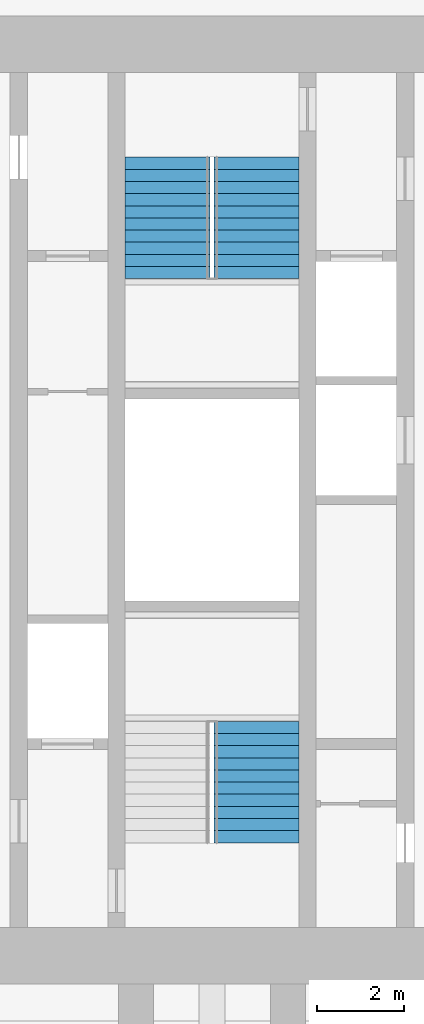
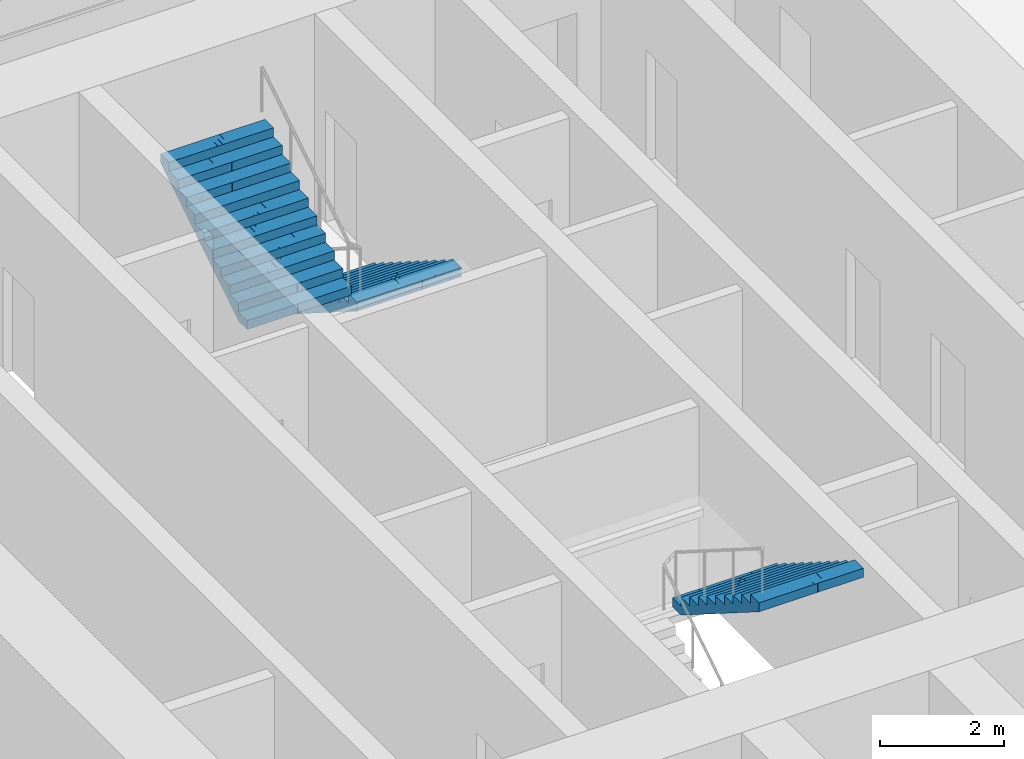
# One storey, part 14 of 15: 3 stair flights, 2 elements without a shape of their own.
"""IFC4 building model written with IfcOpenShell, lengths in metres."""

from ifc_helpers import new_model, si_unit, direction, frame, origin, place, context, subcontext, project, spatial, polyline, outline, extrude, material, type_object, element, aggregate, save


model = new_model("IFC4")

# Units and contexts
model_context = context("Model", 3, precision=1e-05, world=origin(), true_north=direction((0.0, 1.0)))
body_context = subcontext(model_context, "Body", "Model", "MODEL_VIEW")
ifc_project = project(units=[si_unit("LENGTHUNIT", "METRE"), si_unit("AREAUNIT", "SQUARE_METRE"), si_unit("VOLUMEUNIT", "CUBIC_METRE"), si_unit("PLANEANGLEUNIT", "RADIAN"), si_unit("MASSUNIT", "GRAM", prefix="KILO")], contexts=[model_context])

# Site, building, storey
site_placement = place(None, origin())
site = spatial("IfcSite", under=ifc_project, at=site_placement, CompositionType="ELEMENT")
building_placement = place(site_placement, origin())
building = spatial("IfcBuilding", under=site, at=building_placement, Name="Mizan Broadcast Tower", CompositionType="ELEMENT")
storey_placement = place(building_placement, frame((0.0, 0.0, 298.5)))
storey = spatial("IfcBuildingStorey", under=building, at=storey_placement, Name="L71", CompositionType="ELEMENT", Elevation=298.5)

# Stair, stair flight
ifc_material_1 = material(Name="Concrete C40/50", Category="concrete")
stair_type = type_object("IfcStairType", Name="EXIT STAIR", PredefinedType="HALF_TURN_STAIR", material=ifc_material_1)
stair_1_placement = place(storey_placement, origin())
stair_1 = element("IfcStair", 1, at=stair_1_placement, inside=storey, type_object=stair_type, Name="Stair A L71", PredefinedType="HALF_TURN_STAIR")
ifc_material_2 = material(Name="Concrete C40/50", Category="concrete")
stair_flight_type = type_object("IfcStairFlightType", Name="EXIT STAIR FLIGHT", PredefinedType="STRAIGHT", material=ifc_material_2)
stair_flight_1_placement = place(storey_placement, frame((1.02490234375, -5.10009765625, 1.949951171875), z_axis=(0.0, 0.0, 1.0), x_axis=(0.0, -1.0, 0.0)))
stair_flight_1 = element("IfcStairFlight", 2, at=stair_flight_1_placement, type_object=stair_flight_type, Name="A flight 2", NumberOfRisers=11, NumberOfTreads=10, PredefinedType="STRAIGHT", RiserHeight=0.177272727, TreadLength=0.28, context=body_context, shape_type="SweptSolid", body=[
    extrude(outline(polyline([(0.0, 0.0), (0.0, 0.17724609375), (0.280029296875, 0.17724609375), (0.280029296875, 0.3544921875), (0.56005859375, 0.3544921875), (0.56005859375, 0.53173828125), (0.840087890625, 0.53173828125), (0.840087890625, 0.708984375), (1.1201171875, 0.708984375), (1.1201171875, 0.886474609375), (1.39990234375, 0.886474609375), (1.39990234375, 1.063720703125), (1.679931640625, 1.063720703125), (1.679931640625, 1.240966796875), (1.9599609375, 1.240966796875), (1.9599609375, 1.418212890625), (2.239990234375, 1.418212890625), (2.239990234375, 1.595458984375), (2.52001953125, 1.595458984375), (2.52001953125, 1.772705078125), (2.800048828125, 1.772705078125), (2.800048828125, 1.949951171875), (2.800048828125, 1.59521484375), (0.2802734375, 0.0), (0.0, 0.0)])), frame((0.0, 0.97509765625, 0.0), z_axis=(0.0, -1.0, 0.0), x_axis=(1.0, 0.0, 0.0)), (0.0, 0.0, 1.0), 0.4873046875),
    extrude(outline(polyline([(0.0, 0.0), (0.0, 0.17724609375), (0.280029296875, 0.17724609375), (0.280029296875, 0.3544921875), (0.56005859375, 0.3544921875), (0.56005859375, 0.53173828125), (0.840087890625, 0.53173828125), (0.840087890625, 0.708984375), (1.1201171875, 0.708984375), (1.1201171875, 0.886474609375), (1.39990234375, 0.886474609375), (1.39990234375, 1.063720703125), (1.679931640625, 1.063720703125), (1.679931640625, 1.240966796875), (1.9599609375, 1.240966796875), (1.9599609375, 1.418212890625), (2.239990234375, 1.418212890625), (2.239990234375, 1.595458984375), (2.52001953125, 1.595458984375), (2.52001953125, 1.772705078125), (2.800048828125, 1.772705078125), (2.800048828125, 1.949951171875), (2.800048828125, 1.59521484375), (0.2802734375, 0.0), (0.0, 0.0)])), frame((0.0, 0.4873046875, 0.0), z_axis=(0.0, -1.0, 0.0), x_axis=(1.0, 0.0, 0.0)), (0.0, 0.0, 1.0), 0.2431640625),
    extrude(outline(polyline([(0.0, 0.0), (0.0, 0.17724609375), (0.280029296875, 0.17724609375), (0.280029296875, 0.3544921875), (0.56005859375, 0.3544921875), (0.56005859375, 0.53173828125), (0.840087890625, 0.53173828125), (0.840087890625, 0.708984375), (1.1201171875, 0.708984375), (1.1201171875, 0.886474609375), (1.39990234375, 0.886474609375), (1.39990234375, 1.063720703125), (1.679931640625, 1.063720703125), (1.679931640625, 1.240966796875), (1.9599609375, 1.240966796875), (1.9599609375, 1.418212890625), (2.239990234375, 1.418212890625), (2.239990234375, 1.595458984375), (2.52001953125, 1.595458984375), (2.52001953125, 1.772705078125), (2.800048828125, 1.772705078125), (2.800048828125, 1.949951171875), (2.800048828125, 1.59521484375), (0.2802734375, 0.0), (0.0, 0.0)])), frame((0.0, 0.24365234375, 0.0), z_axis=(0.0, -1.0, 0.0), x_axis=(1.0, 0.0, 0.0)), (0.0, 0.0, 1.0), 0.121337890625),
    extrude(outline(polyline([(0.0, 0.0), (0.0, 0.17724609375), (0.280029296875, 0.17724609375), (0.280029296875, 0.3544921875), (0.56005859375, 0.3544921875), (0.56005859375, 0.53173828125), (0.840087890625, 0.53173828125), (0.840087890625, 0.708984375), (1.1201171875, 0.708984375), (1.1201171875, 0.886474609375), (1.39990234375, 0.886474609375), (1.39990234375, 1.063720703125), (1.679931640625, 1.063720703125), (1.679931640625, 1.240966796875), (1.9599609375, 1.240966796875), (1.9599609375, 1.418212890625), (2.239990234375, 1.418212890625), (2.239990234375, 1.595458984375), (2.52001953125, 1.595458984375), (2.52001953125, 1.772705078125), (2.800048828125, 1.772705078125), (2.800048828125, 1.949951171875), (2.800048828125, 1.59521484375), (0.2802734375, 0.0), (0.0, 0.0)])), frame((0.0, 0.121826171875, 0.0), z_axis=(0.0, -1.0, 0.0), x_axis=(1.0, 0.0, 0.0)), (0.0, 0.0, 1.0), 0.060546875),
    extrude(outline(polyline([(0.0, 0.0), (0.0, 0.17724609375), (0.280029296875, 0.17724609375), (0.280029296875, 0.3544921875), (0.56005859375, 0.3544921875), (0.56005859375, 0.53173828125), (0.840087890625, 0.53173828125), (0.840087890625, 0.708984375), (1.1201171875, 0.708984375), (1.1201171875, 0.886474609375), (1.39990234375, 0.886474609375), (1.39990234375, 1.063720703125), (1.679931640625, 1.063720703125), (1.679931640625, 1.240966796875), (1.9599609375, 1.240966796875), (1.9599609375, 1.418212890625), (2.239990234375, 1.418212890625), (2.239990234375, 1.595458984375), (2.52001953125, 1.595458984375), (2.52001953125, 1.772705078125), (2.800048828125, 1.772705078125), (2.800048828125, 1.949951171875), (2.800048828125, 1.59521484375), (0.2802734375, 0.0), (0.0, 0.0)])), frame((0.0, 0.060791015625, 0.0), z_axis=(0.0, -1.0, 0.0), x_axis=(1.0, 0.0, 0.0)), (0.0, 0.0, 1.0), 0.030029296875),
    extrude(outline(polyline([(0.0, 0.0), (0.0, 0.17724609375), (0.280029296875, 0.17724609375), (0.280029296875, 0.3544921875), (0.56005859375, 0.3544921875), (0.56005859375, 0.53173828125), (0.840087890625, 0.53173828125), (0.840087890625, 0.708984375), (1.1201171875, 0.708984375), (1.1201171875, 0.886474609375), (1.39990234375, 0.886474609375), (1.39990234375, 1.063720703125), (1.679931640625, 1.063720703125), (1.679931640625, 1.240966796875), (1.9599609375, 1.240966796875), (1.9599609375, 1.418212890625), (2.239990234375, 1.418212890625), (2.239990234375, 1.595458984375), (2.52001953125, 1.595458984375), (2.52001953125, 1.772705078125), (2.800048828125, 1.772705078125), (2.800048828125, 1.949951171875), (2.800048828125, 1.59521484375), (0.2802734375, 0.0), (0.0, 0.0)])), frame((0.0, 0.0302734375, 0.0), z_axis=(0.0, -1.0, 0.0), x_axis=(1.0, 0.0, 0.0)), (0.0, 0.0, 1.0), 0.060302734375),
    extrude(outline(polyline([(0.0, 0.0), (0.0, 0.17724609375), (0.280029296875, 0.17724609375), (0.280029296875, 0.3544921875), (0.56005859375, 0.3544921875), (0.56005859375, 0.53173828125), (0.840087890625, 0.53173828125), (0.840087890625, 0.708984375), (1.1201171875, 0.708984375), (1.1201171875, 0.886474609375), (1.39990234375, 0.886474609375), (1.39990234375, 1.063720703125), (1.679931640625, 1.063720703125), (1.679931640625, 1.240966796875), (1.9599609375, 1.240966796875), (1.9599609375, 1.418212890625), (2.239990234375, 1.418212890625), (2.239990234375, 1.595458984375), (2.52001953125, 1.595458984375), (2.52001953125, 1.772705078125), (2.800048828125, 1.772705078125), (2.800048828125, 1.949951171875), (2.800048828125, 1.59521484375), (0.2802734375, 0.0), (0.0, 0.0)])), frame((0.0, -0.030517578125, 0.0), z_axis=(0.0, -1.0, 0.0), x_axis=(1.0, 0.0, 0.0)), (0.0, 0.0, 1.0), 0.030029296875),
    extrude(outline(polyline([(0.0, 0.0), (0.0, 0.17724609375), (0.280029296875, 0.17724609375), (0.280029296875, 0.3544921875), (0.56005859375, 0.3544921875), (0.56005859375, 0.53173828125), (0.840087890625, 0.53173828125), (0.840087890625, 0.708984375), (1.1201171875, 0.708984375), (1.1201171875, 0.886474609375), (1.39990234375, 0.886474609375), (1.39990234375, 1.063720703125), (1.679931640625, 1.063720703125), (1.679931640625, 1.240966796875), (1.9599609375, 1.240966796875), (1.9599609375, 1.418212890625), (2.239990234375, 1.418212890625), (2.239990234375, 1.595458984375), (2.52001953125, 1.595458984375), (2.52001953125, 1.772705078125), (2.800048828125, 1.772705078125), (2.800048828125, 1.949951171875), (2.800048828125, 1.59521484375), (0.2802734375, 0.0), (0.0, 0.0)])), frame((0.0, -0.06103515625, 0.0), z_axis=(0.0, -1.0, 0.0), x_axis=(1.0, 0.0, 0.0)), (0.0, 0.0, 1.0), 0.060546875),
    extrude(outline(polyline([(0.0, 0.0), (0.0, 0.17724609375), (0.280029296875, 0.17724609375), (0.280029296875, 0.3544921875), (0.56005859375, 0.3544921875), (0.56005859375, 0.53173828125), (0.840087890625, 0.53173828125), (0.840087890625, 0.708984375), (1.1201171875, 0.708984375), (1.1201171875, 0.886474609375), (1.39990234375, 0.886474609375), (1.39990234375, 1.063720703125), (1.679931640625, 1.063720703125), (1.679931640625, 1.240966796875), (1.9599609375, 1.240966796875), (1.9599609375, 1.418212890625), (2.239990234375, 1.418212890625), (2.239990234375, 1.595458984375), (2.52001953125, 1.595458984375), (2.52001953125, 1.772705078125), (2.800048828125, 1.772705078125), (2.800048828125, 1.949951171875), (2.800048828125, 1.59521484375), (0.2802734375, 0.0), (0.0, 0.0)])), frame((0.0, -0.1220703125, 0.0), z_axis=(0.0, -1.0, 0.0), x_axis=(1.0, 0.0, 0.0)), (0.0, 0.0, 1.0), 0.121337890625),
    extrude(outline(polyline([(0.0, 0.0), (0.0, 0.17724609375), (0.280029296875, 0.17724609375), (0.280029296875, 0.3544921875), (0.56005859375, 0.3544921875), (0.56005859375, 0.53173828125), (0.840087890625, 0.53173828125), (0.840087890625, 0.708984375), (1.1201171875, 0.708984375), (1.1201171875, 0.886474609375), (1.39990234375, 0.886474609375), (1.39990234375, 1.063720703125), (1.679931640625, 1.063720703125), (1.679931640625, 1.240966796875), (1.9599609375, 1.240966796875), (1.9599609375, 1.418212890625), (2.239990234375, 1.418212890625), (2.239990234375, 1.595458984375), (2.52001953125, 1.595458984375), (2.52001953125, 1.772705078125), (2.800048828125, 1.772705078125), (2.800048828125, 1.949951171875), (2.800048828125, 1.59521484375), (0.2802734375, 0.0), (0.0, 0.0)])), frame((0.0, -0.243896484375, 0.0), z_axis=(0.0, -1.0, 0.0), x_axis=(1.0, 0.0, 0.0)), (0.0, 0.0, 1.0), 0.2431640625),
    extrude(outline(polyline([(0.0, 0.0), (0.0, 0.17724609375), (0.280029296875, 0.17724609375), (0.280029296875, 0.3544921875), (0.56005859375, 0.3544921875), (0.56005859375, 0.53173828125), (0.840087890625, 0.53173828125), (0.840087890625, 0.708984375), (1.1201171875, 0.708984375), (1.1201171875, 0.886474609375), (1.39990234375, 0.886474609375), (1.39990234375, 1.063720703125), (1.679931640625, 1.063720703125), (1.679931640625, 1.240966796875), (1.9599609375, 1.240966796875), (1.9599609375, 1.418212890625), (2.239990234375, 1.418212890625), (2.239990234375, 1.595458984375), (2.52001953125, 1.595458984375), (2.52001953125, 1.772705078125), (2.800048828125, 1.772705078125), (2.800048828125, 1.949951171875), (2.800048828125, 1.59521484375), (0.2802734375, 0.0), (0.0, 0.0)])), frame((0.0, -0.487548828125, 0.0), z_axis=(0.0, -1.0, 0.0), x_axis=(1.0, 0.0, 0.0)), (0.0, 0.0, 1.0), 0.4873046875),
])
aggregate(stair_1, [stair_flight_1])

# Stair, stair flights
stair_2_placement = place(storey_placement, origin())
stair_2 = element("IfcStair", 3, at=stair_2_placement, inside=storey, type_object=stair_type, Name="Stair B L71", PredefinedType="HALF_TURN_STAIR")
stair_flight_2_placement = place(storey_placement, frame((1.02490234375, 7.89990234375, 0.0), z_axis=(0.0, 0.0, 1.0), x_axis=(0.0, -1.0, 0.0)))
stair_flight_2 = element("IfcStairFlight", 4, at=stair_flight_2_placement, type_object=stair_flight_type, Name="B flight 1", NumberOfRisers=11, NumberOfTreads=10, PredefinedType="STRAIGHT", RiserHeight=0.177272727, TreadLength=0.28, context=body_context, shape_type="SweptSolid", body=[
    extrude(outline(polyline([(0.0, 0.0), (0.0, 0.17724609375), (0.280029296875, 0.17724609375), (0.280029296875, 0.3544921875), (0.56005859375, 0.3544921875), (0.56005859375, 0.53173828125), (0.840087890625, 0.53173828125), (0.840087890625, 0.708984375), (1.1201171875, 0.708984375), (1.1201171875, 0.886474609375), (1.39990234375, 0.886474609375), (1.39990234375, 1.063720703125), (1.679931640625, 1.063720703125), (1.679931640625, 1.240966796875), (1.9599609375, 1.240966796875), (1.9599609375, 1.418212890625), (2.239990234375, 1.418212890625), (2.239990234375, 1.595458984375), (2.52001953125, 1.595458984375), (2.52001953125, 1.772705078125), (2.800048828125, 1.772705078125), (2.800048828125, 1.949951171875), (2.800048828125, 1.59521484375), (0.2802734375, 0.0), (0.0, 0.0)])), frame((0.0, 0.97509765625, 0.0), z_axis=(0.0, -1.0, 0.0), x_axis=(1.0, 0.0, 0.0)), (0.0, 0.0, 1.0), 0.4873046875),
    extrude(outline(polyline([(0.0, 0.0), (0.0, 0.17724609375), (0.280029296875, 0.17724609375), (0.280029296875, 0.3544921875), (0.56005859375, 0.3544921875), (0.56005859375, 0.53173828125), (0.840087890625, 0.53173828125), (0.840087890625, 0.708984375), (1.1201171875, 0.708984375), (1.1201171875, 0.886474609375), (1.39990234375, 0.886474609375), (1.39990234375, 1.063720703125), (1.679931640625, 1.063720703125), (1.679931640625, 1.240966796875), (1.9599609375, 1.240966796875), (1.9599609375, 1.418212890625), (2.239990234375, 1.418212890625), (2.239990234375, 1.595458984375), (2.52001953125, 1.595458984375), (2.52001953125, 1.772705078125), (2.800048828125, 1.772705078125), (2.800048828125, 1.949951171875), (2.800048828125, 1.59521484375), (0.2802734375, 0.0), (0.0, 0.0)])), frame((0.0, 0.4873046875, 0.0), z_axis=(0.0, -1.0, 0.0), x_axis=(1.0, 0.0, 0.0)), (0.0, 0.0, 1.0), 0.2431640625),
    extrude(outline(polyline([(0.0, 0.0), (0.0, 0.17724609375), (0.280029296875, 0.17724609375), (0.280029296875, 0.3544921875), (0.56005859375, 0.3544921875), (0.56005859375, 0.53173828125), (0.840087890625, 0.53173828125), (0.840087890625, 0.708984375), (1.1201171875, 0.708984375), (1.1201171875, 0.886474609375), (1.39990234375, 0.886474609375), (1.39990234375, 1.063720703125), (1.679931640625, 1.063720703125), (1.679931640625, 1.240966796875), (1.9599609375, 1.240966796875), (1.9599609375, 1.418212890625), (2.239990234375, 1.418212890625), (2.239990234375, 1.595458984375), (2.52001953125, 1.595458984375), (2.52001953125, 1.772705078125), (2.800048828125, 1.772705078125), (2.800048828125, 1.949951171875), (2.800048828125, 1.59521484375), (0.2802734375, 0.0), (0.0, 0.0)])), frame((0.0, 0.24365234375, 0.0), z_axis=(0.0, -1.0, 0.0), x_axis=(1.0, 0.0, 0.0)), (0.0, 0.0, 1.0), 0.121337890625),
    extrude(outline(polyline([(0.0, 0.0), (0.0, 0.17724609375), (0.280029296875, 0.17724609375), (0.280029296875, 0.3544921875), (0.56005859375, 0.3544921875), (0.56005859375, 0.53173828125), (0.840087890625, 0.53173828125), (0.840087890625, 0.708984375), (1.1201171875, 0.708984375), (1.1201171875, 0.886474609375), (1.39990234375, 0.886474609375), (1.39990234375, 1.063720703125), (1.679931640625, 1.063720703125), (1.679931640625, 1.240966796875), (1.9599609375, 1.240966796875), (1.9599609375, 1.418212890625), (2.239990234375, 1.418212890625), (2.239990234375, 1.595458984375), (2.52001953125, 1.595458984375), (2.52001953125, 1.772705078125), (2.800048828125, 1.772705078125), (2.800048828125, 1.949951171875), (2.800048828125, 1.59521484375), (0.2802734375, 0.0), (0.0, 0.0)])), frame((0.0, 0.121826171875, 0.0), z_axis=(0.0, -1.0, 0.0), x_axis=(1.0, 0.0, 0.0)), (0.0, 0.0, 1.0), 0.060546875),
    extrude(outline(polyline([(0.0, 0.0), (0.0, 0.17724609375), (0.280029296875, 0.17724609375), (0.280029296875, 0.3544921875), (0.56005859375, 0.3544921875), (0.56005859375, 0.53173828125), (0.840087890625, 0.53173828125), (0.840087890625, 0.708984375), (1.1201171875, 0.708984375), (1.1201171875, 0.886474609375), (1.39990234375, 0.886474609375), (1.39990234375, 1.063720703125), (1.679931640625, 1.063720703125), (1.679931640625, 1.240966796875), (1.9599609375, 1.240966796875), (1.9599609375, 1.418212890625), (2.239990234375, 1.418212890625), (2.239990234375, 1.595458984375), (2.52001953125, 1.595458984375), (2.52001953125, 1.772705078125), (2.800048828125, 1.772705078125), (2.800048828125, 1.949951171875), (2.800048828125, 1.59521484375), (0.2802734375, 0.0), (0.0, 0.0)])), frame((0.0, 0.060791015625, 0.0), z_axis=(0.0, -1.0, 0.0), x_axis=(1.0, 0.0, 0.0)), (0.0, 0.0, 1.0), 0.030029296875),
    extrude(outline(polyline([(0.0, 0.0), (0.0, 0.17724609375), (0.280029296875, 0.17724609375), (0.280029296875, 0.3544921875), (0.56005859375, 0.3544921875), (0.56005859375, 0.53173828125), (0.840087890625, 0.53173828125), (0.840087890625, 0.708984375), (1.1201171875, 0.708984375), (1.1201171875, 0.886474609375), (1.39990234375, 0.886474609375), (1.39990234375, 1.063720703125), (1.679931640625, 1.063720703125), (1.679931640625, 1.240966796875), (1.9599609375, 1.240966796875), (1.9599609375, 1.418212890625), (2.239990234375, 1.418212890625), (2.239990234375, 1.595458984375), (2.52001953125, 1.595458984375), (2.52001953125, 1.772705078125), (2.800048828125, 1.772705078125), (2.800048828125, 1.949951171875), (2.800048828125, 1.59521484375), (0.2802734375, 0.0), (0.0, 0.0)])), frame((0.0, 0.0302734375, 0.0), z_axis=(0.0, -1.0, 0.0), x_axis=(1.0, 0.0, 0.0)), (0.0, 0.0, 1.0), 0.060302734375),
    extrude(outline(polyline([(0.0, 0.0), (0.0, 0.17724609375), (0.280029296875, 0.17724609375), (0.280029296875, 0.3544921875), (0.56005859375, 0.3544921875), (0.56005859375, 0.53173828125), (0.840087890625, 0.53173828125), (0.840087890625, 0.708984375), (1.1201171875, 0.708984375), (1.1201171875, 0.886474609375), (1.39990234375, 0.886474609375), (1.39990234375, 1.063720703125), (1.679931640625, 1.063720703125), (1.679931640625, 1.240966796875), (1.9599609375, 1.240966796875), (1.9599609375, 1.418212890625), (2.239990234375, 1.418212890625), (2.239990234375, 1.595458984375), (2.52001953125, 1.595458984375), (2.52001953125, 1.772705078125), (2.800048828125, 1.772705078125), (2.800048828125, 1.949951171875), (2.800048828125, 1.59521484375), (0.2802734375, 0.0), (0.0, 0.0)])), frame((0.0, -0.030517578125, 0.0), z_axis=(0.0, -1.0, 0.0), x_axis=(1.0, 0.0, 0.0)), (0.0, 0.0, 1.0), 0.030029296875),
    extrude(outline(polyline([(0.0, 0.0), (0.0, 0.17724609375), (0.280029296875, 0.17724609375), (0.280029296875, 0.3544921875), (0.56005859375, 0.3544921875), (0.56005859375, 0.53173828125), (0.840087890625, 0.53173828125), (0.840087890625, 0.708984375), (1.1201171875, 0.708984375), (1.1201171875, 0.886474609375), (1.39990234375, 0.886474609375), (1.39990234375, 1.063720703125), (1.679931640625, 1.063720703125), (1.679931640625, 1.240966796875), (1.9599609375, 1.240966796875), (1.9599609375, 1.418212890625), (2.239990234375, 1.418212890625), (2.239990234375, 1.595458984375), (2.52001953125, 1.595458984375), (2.52001953125, 1.772705078125), (2.800048828125, 1.772705078125), (2.800048828125, 1.949951171875), (2.800048828125, 1.59521484375), (0.2802734375, 0.0), (0.0, 0.0)])), frame((0.0, -0.06103515625, 0.0), z_axis=(0.0, -1.0, 0.0), x_axis=(1.0, 0.0, 0.0)), (0.0, 0.0, 1.0), 0.060546875),
    extrude(outline(polyline([(0.0, 0.0), (0.0, 0.17724609375), (0.280029296875, 0.17724609375), (0.280029296875, 0.3544921875), (0.56005859375, 0.3544921875), (0.56005859375, 0.53173828125), (0.840087890625, 0.53173828125), (0.840087890625, 0.708984375), (1.1201171875, 0.708984375), (1.1201171875, 0.886474609375), (1.39990234375, 0.886474609375), (1.39990234375, 1.063720703125), (1.679931640625, 1.063720703125), (1.679931640625, 1.240966796875), (1.9599609375, 1.240966796875), (1.9599609375, 1.418212890625), (2.239990234375, 1.418212890625), (2.239990234375, 1.595458984375), (2.52001953125, 1.595458984375), (2.52001953125, 1.772705078125), (2.800048828125, 1.772705078125), (2.800048828125, 1.949951171875), (2.800048828125, 1.59521484375), (0.2802734375, 0.0), (0.0, 0.0)])), frame((0.0, -0.1220703125, 0.0), z_axis=(0.0, -1.0, 0.0), x_axis=(1.0, 0.0, 0.0)), (0.0, 0.0, 1.0), 0.121337890625),
    extrude(outline(polyline([(0.0, 0.0), (0.0, 0.17724609375), (0.280029296875, 0.17724609375), (0.280029296875, 0.3544921875), (0.56005859375, 0.3544921875), (0.56005859375, 0.53173828125), (0.840087890625, 0.53173828125), (0.840087890625, 0.708984375), (1.1201171875, 0.708984375), (1.1201171875, 0.886474609375), (1.39990234375, 0.886474609375), (1.39990234375, 1.063720703125), (1.679931640625, 1.063720703125), (1.679931640625, 1.240966796875), (1.9599609375, 1.240966796875), (1.9599609375, 1.418212890625), (2.239990234375, 1.418212890625), (2.239990234375, 1.595458984375), (2.52001953125, 1.595458984375), (2.52001953125, 1.772705078125), (2.800048828125, 1.772705078125), (2.800048828125, 1.949951171875), (2.800048828125, 1.59521484375), (0.2802734375, 0.0), (0.0, 0.0)])), frame((0.0, -0.243896484375, 0.0), z_axis=(0.0, -1.0, 0.0), x_axis=(1.0, 0.0, 0.0)), (0.0, 0.0, 1.0), 0.2431640625),
    extrude(outline(polyline([(0.0, 0.0), (0.0, 0.17724609375), (0.280029296875, 0.17724609375), (0.280029296875, 0.3544921875), (0.56005859375, 0.3544921875), (0.56005859375, 0.53173828125), (0.840087890625, 0.53173828125), (0.840087890625, 0.708984375), (1.1201171875, 0.708984375), (1.1201171875, 0.886474609375), (1.39990234375, 0.886474609375), (1.39990234375, 1.063720703125), (1.679931640625, 1.063720703125), (1.679931640625, 1.240966796875), (1.9599609375, 1.240966796875), (1.9599609375, 1.418212890625), (2.239990234375, 1.418212890625), (2.239990234375, 1.595458984375), (2.52001953125, 1.595458984375), (2.52001953125, 1.772705078125), (2.800048828125, 1.772705078125), (2.800048828125, 1.949951171875), (2.800048828125, 1.59521484375), (0.2802734375, 0.0), (0.0, 0.0)])), frame((0.0, -0.487548828125, 0.0), z_axis=(0.0, -1.0, 0.0), x_axis=(1.0, 0.0, 0.0)), (0.0, 0.0, 1.0), 0.4873046875),
])
stair_flight_3_placement = place(storey_placement, frame((-1.02490234375, 5.10009765625, 1.949951171875), z_axis=(0.0, 0.0, 1.0), x_axis=(0.0, 1.0, 0.0)))
stair_flight_3 = element("IfcStairFlight", 5, at=stair_flight_3_placement, type_object=stair_flight_type, Name="B flight 2", NumberOfRisers=11, NumberOfTreads=10, PredefinedType="STRAIGHT", RiserHeight=0.177272727, TreadLength=0.28, context=body_context, shape_type="SweptSolid", body=[
    extrude(outline(polyline([(0.0, 0.0), (0.0, 0.17724609375), (0.280029296875, 0.17724609375), (0.280029296875, 0.3544921875), (0.56005859375, 0.3544921875), (0.56005859375, 0.53173828125), (0.840087890625, 0.53173828125), (0.840087890625, 0.708984375), (1.1201171875, 0.708984375), (1.1201171875, 0.886474609375), (1.39990234375, 0.886474609375), (1.39990234375, 1.063720703125), (1.679931640625, 1.063720703125), (1.679931640625, 1.240966796875), (1.9599609375, 1.240966796875), (1.9599609375, 1.418212890625), (2.239990234375, 1.418212890625), (2.239990234375, 1.595458984375), (2.52001953125, 1.595458984375), (2.52001953125, 1.772705078125), (2.800048828125, 1.772705078125), (2.800048828125, 1.949951171875), (2.800048828125, 1.59521484375), (0.2802734375, 0.0), (0.0, 0.0)])), frame((0.0, 0.97509765625, 0.0), z_axis=(0.0, -1.0, 0.0), x_axis=(1.0, 0.0, 0.0)), (0.0, 0.0, 1.0), 0.4873046875),
    extrude(outline(polyline([(0.0, 0.0), (0.0, 0.17724609375), (0.280029296875, 0.17724609375), (0.280029296875, 0.3544921875), (0.56005859375, 0.3544921875), (0.56005859375, 0.53173828125), (0.840087890625, 0.53173828125), (0.840087890625, 0.708984375), (1.1201171875, 0.708984375), (1.1201171875, 0.886474609375), (1.39990234375, 0.886474609375), (1.39990234375, 1.063720703125), (1.679931640625, 1.063720703125), (1.679931640625, 1.240966796875), (1.9599609375, 1.240966796875), (1.9599609375, 1.418212890625), (2.239990234375, 1.418212890625), (2.239990234375, 1.595458984375), (2.52001953125, 1.595458984375), (2.52001953125, 1.772705078125), (2.800048828125, 1.772705078125), (2.800048828125, 1.949951171875), (2.800048828125, 1.59521484375), (0.2802734375, 0.0), (0.0, 0.0)])), frame((0.0, 0.4873046875, 0.0), z_axis=(0.0, -1.0, 0.0), x_axis=(1.0, 0.0, 0.0)), (0.0, 0.0, 1.0), 0.2431640625),
    extrude(outline(polyline([(0.0, 0.0), (0.0, 0.17724609375), (0.280029296875, 0.17724609375), (0.280029296875, 0.3544921875), (0.56005859375, 0.3544921875), (0.56005859375, 0.53173828125), (0.840087890625, 0.53173828125), (0.840087890625, 0.708984375), (1.1201171875, 0.708984375), (1.1201171875, 0.886474609375), (1.39990234375, 0.886474609375), (1.39990234375, 1.063720703125), (1.679931640625, 1.063720703125), (1.679931640625, 1.240966796875), (1.9599609375, 1.240966796875), (1.9599609375, 1.418212890625), (2.239990234375, 1.418212890625), (2.239990234375, 1.595458984375), (2.52001953125, 1.595458984375), (2.52001953125, 1.772705078125), (2.800048828125, 1.772705078125), (2.800048828125, 1.949951171875), (2.800048828125, 1.59521484375), (0.2802734375, 0.0), (0.0, 0.0)])), frame((0.0, 0.24365234375, 0.0), z_axis=(0.0, -1.0, 0.0), x_axis=(1.0, 0.0, 0.0)), (0.0, 0.0, 1.0), 0.121337890625),
    extrude(outline(polyline([(0.0, 0.0), (0.0, 0.17724609375), (0.280029296875, 0.17724609375), (0.280029296875, 0.3544921875), (0.56005859375, 0.3544921875), (0.56005859375, 0.53173828125), (0.840087890625, 0.53173828125), (0.840087890625, 0.708984375), (1.1201171875, 0.708984375), (1.1201171875, 0.886474609375), (1.39990234375, 0.886474609375), (1.39990234375, 1.063720703125), (1.679931640625, 1.063720703125), (1.679931640625, 1.240966796875), (1.9599609375, 1.240966796875), (1.9599609375, 1.418212890625), (2.239990234375, 1.418212890625), (2.239990234375, 1.595458984375), (2.52001953125, 1.595458984375), (2.52001953125, 1.772705078125), (2.800048828125, 1.772705078125), (2.800048828125, 1.949951171875), (2.800048828125, 1.59521484375), (0.2802734375, 0.0), (0.0, 0.0)])), frame((0.0, 0.121826171875, 0.0), z_axis=(0.0, -1.0, 0.0), x_axis=(1.0, 0.0, 0.0)), (0.0, 0.0, 1.0), 0.060546875),
    extrude(outline(polyline([(0.0, 0.0), (0.0, 0.17724609375), (0.280029296875, 0.17724609375), (0.280029296875, 0.3544921875), (0.56005859375, 0.3544921875), (0.56005859375, 0.53173828125), (0.840087890625, 0.53173828125), (0.840087890625, 0.708984375), (1.1201171875, 0.708984375), (1.1201171875, 0.886474609375), (1.39990234375, 0.886474609375), (1.39990234375, 1.063720703125), (1.679931640625, 1.063720703125), (1.679931640625, 1.240966796875), (1.9599609375, 1.240966796875), (1.9599609375, 1.418212890625), (2.239990234375, 1.418212890625), (2.239990234375, 1.595458984375), (2.52001953125, 1.595458984375), (2.52001953125, 1.772705078125), (2.800048828125, 1.772705078125), (2.800048828125, 1.949951171875), (2.800048828125, 1.59521484375), (0.2802734375, 0.0), (0.0, 0.0)])), frame((0.0, 0.060791015625, 0.0), z_axis=(0.0, -1.0, 0.0), x_axis=(1.0, 0.0, 0.0)), (0.0, 0.0, 1.0), 0.030029296875),
    extrude(outline(polyline([(0.0, 0.0), (0.0, 0.17724609375), (0.280029296875, 0.17724609375), (0.280029296875, 0.3544921875), (0.56005859375, 0.3544921875), (0.56005859375, 0.53173828125), (0.840087890625, 0.53173828125), (0.840087890625, 0.708984375), (1.1201171875, 0.708984375), (1.1201171875, 0.886474609375), (1.39990234375, 0.886474609375), (1.39990234375, 1.063720703125), (1.679931640625, 1.063720703125), (1.679931640625, 1.240966796875), (1.9599609375, 1.240966796875), (1.9599609375, 1.418212890625), (2.239990234375, 1.418212890625), (2.239990234375, 1.595458984375), (2.52001953125, 1.595458984375), (2.52001953125, 1.772705078125), (2.800048828125, 1.772705078125), (2.800048828125, 1.949951171875), (2.800048828125, 1.59521484375), (0.2802734375, 0.0), (0.0, 0.0)])), frame((0.0, 0.0302734375, 0.0), z_axis=(0.0, -1.0, 0.0), x_axis=(1.0, 0.0, 0.0)), (0.0, 0.0, 1.0), 0.060302734375),
    extrude(outline(polyline([(0.0, 0.0), (0.0, 0.17724609375), (0.280029296875, 0.17724609375), (0.280029296875, 0.3544921875), (0.56005859375, 0.3544921875), (0.56005859375, 0.53173828125), (0.840087890625, 0.53173828125), (0.840087890625, 0.708984375), (1.1201171875, 0.708984375), (1.1201171875, 0.886474609375), (1.39990234375, 0.886474609375), (1.39990234375, 1.063720703125), (1.679931640625, 1.063720703125), (1.679931640625, 1.240966796875), (1.9599609375, 1.240966796875), (1.9599609375, 1.418212890625), (2.239990234375, 1.418212890625), (2.239990234375, 1.595458984375), (2.52001953125, 1.595458984375), (2.52001953125, 1.772705078125), (2.800048828125, 1.772705078125), (2.800048828125, 1.949951171875), (2.800048828125, 1.59521484375), (0.2802734375, 0.0), (0.0, 0.0)])), frame((0.0, -0.030517578125, 0.0), z_axis=(0.0, -1.0, 0.0), x_axis=(1.0, 0.0, 0.0)), (0.0, 0.0, 1.0), 0.030029296875),
    extrude(outline(polyline([(0.0, 0.0), (0.0, 0.17724609375), (0.280029296875, 0.17724609375), (0.280029296875, 0.3544921875), (0.56005859375, 0.3544921875), (0.56005859375, 0.53173828125), (0.840087890625, 0.53173828125), (0.840087890625, 0.708984375), (1.1201171875, 0.708984375), (1.1201171875, 0.886474609375), (1.39990234375, 0.886474609375), (1.39990234375, 1.063720703125), (1.679931640625, 1.063720703125), (1.679931640625, 1.240966796875), (1.9599609375, 1.240966796875), (1.9599609375, 1.418212890625), (2.239990234375, 1.418212890625), (2.239990234375, 1.595458984375), (2.52001953125, 1.595458984375), (2.52001953125, 1.772705078125), (2.800048828125, 1.772705078125), (2.800048828125, 1.949951171875), (2.800048828125, 1.59521484375), (0.2802734375, 0.0), (0.0, 0.0)])), frame((0.0, -0.06103515625, 0.0), z_axis=(0.0, -1.0, 0.0), x_axis=(1.0, 0.0, 0.0)), (0.0, 0.0, 1.0), 0.060546875),
    extrude(outline(polyline([(0.0, 0.0), (0.0, 0.17724609375), (0.280029296875, 0.17724609375), (0.280029296875, 0.3544921875), (0.56005859375, 0.3544921875), (0.56005859375, 0.53173828125), (0.840087890625, 0.53173828125), (0.840087890625, 0.708984375), (1.1201171875, 0.708984375), (1.1201171875, 0.886474609375), (1.39990234375, 0.886474609375), (1.39990234375, 1.063720703125), (1.679931640625, 1.063720703125), (1.679931640625, 1.240966796875), (1.9599609375, 1.240966796875), (1.9599609375, 1.418212890625), (2.239990234375, 1.418212890625), (2.239990234375, 1.595458984375), (2.52001953125, 1.595458984375), (2.52001953125, 1.772705078125), (2.800048828125, 1.772705078125), (2.800048828125, 1.949951171875), (2.800048828125, 1.59521484375), (0.2802734375, 0.0), (0.0, 0.0)])), frame((0.0, -0.1220703125, 0.0), z_axis=(0.0, -1.0, 0.0), x_axis=(1.0, 0.0, 0.0)), (0.0, 0.0, 1.0), 0.121337890625),
    extrude(outline(polyline([(0.0, 0.0), (0.0, 0.17724609375), (0.280029296875, 0.17724609375), (0.280029296875, 0.3544921875), (0.56005859375, 0.3544921875), (0.56005859375, 0.53173828125), (0.840087890625, 0.53173828125), (0.840087890625, 0.708984375), (1.1201171875, 0.708984375), (1.1201171875, 0.886474609375), (1.39990234375, 0.886474609375), (1.39990234375, 1.063720703125), (1.679931640625, 1.063720703125), (1.679931640625, 1.240966796875), (1.9599609375, 1.240966796875), (1.9599609375, 1.418212890625), (2.239990234375, 1.418212890625), (2.239990234375, 1.595458984375), (2.52001953125, 1.595458984375), (2.52001953125, 1.772705078125), (2.800048828125, 1.772705078125), (2.800048828125, 1.949951171875), (2.800048828125, 1.59521484375), (0.2802734375, 0.0), (0.0, 0.0)])), frame((0.0, -0.243896484375, 0.0), z_axis=(0.0, -1.0, 0.0), x_axis=(1.0, 0.0, 0.0)), (0.0, 0.0, 1.0), 0.2431640625),
    extrude(outline(polyline([(0.0, 0.0), (0.0, 0.17724609375), (0.280029296875, 0.17724609375), (0.280029296875, 0.3544921875), (0.56005859375, 0.3544921875), (0.56005859375, 0.53173828125), (0.840087890625, 0.53173828125), (0.840087890625, 0.708984375), (1.1201171875, 0.708984375), (1.1201171875, 0.886474609375), (1.39990234375, 0.886474609375), (1.39990234375, 1.063720703125), (1.679931640625, 1.063720703125), (1.679931640625, 1.240966796875), (1.9599609375, 1.240966796875), (1.9599609375, 1.418212890625), (2.239990234375, 1.418212890625), (2.239990234375, 1.595458984375), (2.52001953125, 1.595458984375), (2.52001953125, 1.772705078125), (2.800048828125, 1.772705078125), (2.800048828125, 1.949951171875), (2.800048828125, 1.59521484375), (0.2802734375, 0.0), (0.0, 0.0)])), frame((0.0, -0.487548828125, 0.0), z_axis=(0.0, -1.0, 0.0), x_axis=(1.0, 0.0, 0.0)), (0.0, 0.0, 1.0), 0.4873046875),
])
aggregate(stair_2, [stair_flight_2, stair_flight_3])

save(model, "model.ifc")
